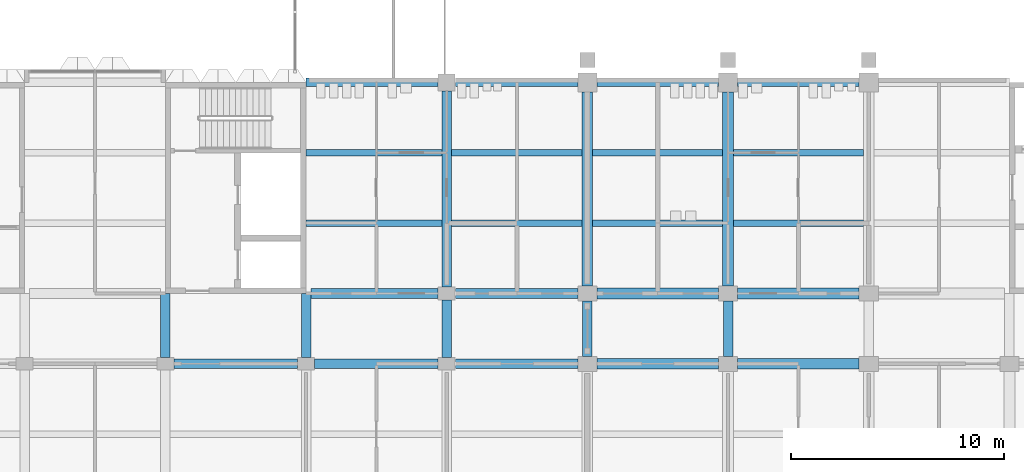
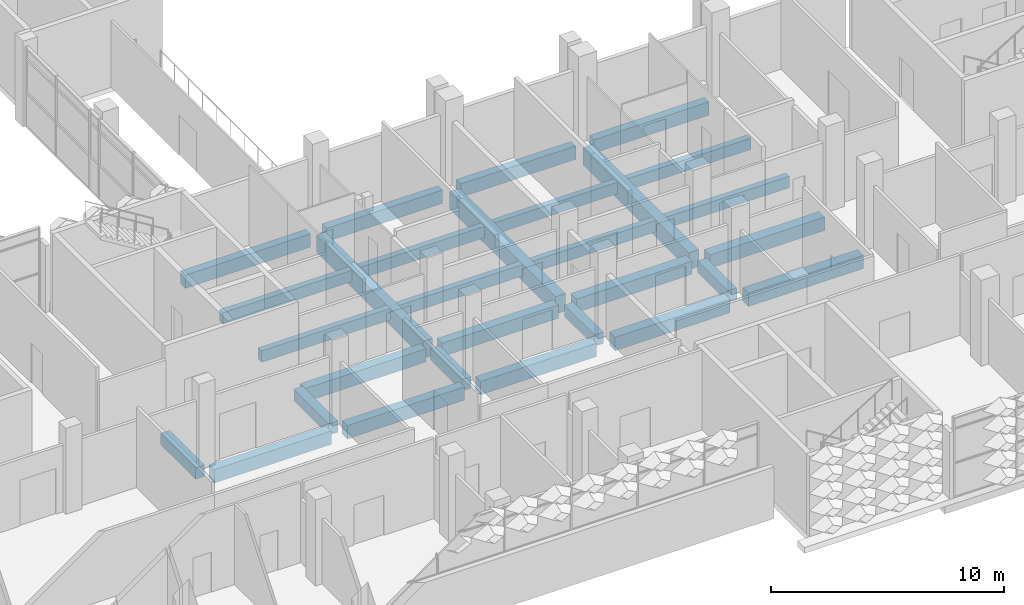
# One storey, part 8 of 102: 29 beams.
"""IFC4 building model written with IfcOpenShell, lengths in metres."""

from ifc_helpers import new_model, si_unit, direction, frame, origin, origin_2d, place, context, subcontext, project, spatial, rectangle, extrude, material, material_profile, profile_set, type_object, element, save


model = new_model("IFC4")

# Units and contexts
model_context = context("Model", 3, precision=1e-05, world=origin(), true_north=direction((0.0, 1.0)))
body_context = subcontext(model_context, "Body", "Model", "MODEL_VIEW")
ifc_project = project(units=[si_unit("LENGTHUNIT", "METRE"), si_unit("AREAUNIT", "SQUARE_METRE"), si_unit("VOLUMEUNIT", "CUBIC_METRE"), si_unit("PLANEANGLEUNIT", "RADIAN"), si_unit("MASSUNIT", "GRAM", prefix="KILO")], contexts=[model_context])

# Site, building, storey
site_placement = place(None, origin())
site = spatial("IfcSite", under=ifc_project, at=site_placement, CompositionType="ELEMENT")
building_placement = place(site_placement, origin())
building = spatial("IfcBuilding", under=site, at=building_placement, Name="Lantern Court Research Institute", CompositionType="ELEMENT")
storey_placement = place(building_placement, frame((0.0, 0.0, 9.89990234375)))
storey = spatial("IfcBuildingStorey", under=building, at=storey_placement, Name="L02", CompositionType="ELEMENT", Elevation=9.89990234375)

# Beams
ifc_material_1 = material(Name="Concrete C40/50", Category="concrete")
ifc_material_profile_1 = material_profile(ifc_material_1, rectangle(XDim=0.449951171875, YDim=0.699951171875, at=origin_2d()), Name="RC beam 450 x 700")
ifc_profile_set_1 = profile_set([ifc_material_profile_1], Name="Concrete C40/50")
beam_type_1 = type_object("IfcBeamType", Name="RC beam 450 x 700", PredefinedType="BEAM", material=ifc_profile_set_1)
for number, where, z_axis, x_axis, name in (
    (1, (33.39990234375, 9.89990234375, -0.64990234375), (1.0, 0.0, 0.0), (0.0, 1.0, 0.0), "Beam L02 grid B/6-7"),
    (2, (40.0, 9.89990234375, -0.64990234375), (1.0, 0.0, 0.0), (0.0, 1.0, 0.0), "Beam L02 grid B/7-8"),
):
    element("IfcBeam", number, at=place(storey_placement, frame(where, z_axis=z_axis, x_axis=x_axis)), inside=storey, type_object=beam_type_1, Name=name, PredefinedType="BEAM", context=body_context, shape_type="SweptSolid", body=[
        extrude(rectangle(XDim=0.449951171875, YDim=0.699951171875, at=origin_2d()), origin(), (0.0, 0.0, 1.0), 5.800048828125),
    ])
beam_1_placement = place(storey_placement, frame((46.60009765625, 9.89990234375, -0.64990234375), z_axis=(1.0, 0.0, 0.0), x_axis=(0.0, 1.0, 0.0)))
element("IfcBeam", 3, at=beam_1_placement, inside=storey, type_object=beam_type_1, Name="Beam L02 grid B/8-9", PredefinedType="BEAM", context=body_context, shape_type="SweptSolid", body=[
    extrude(rectangle(XDim=0.449951171875, YDim=0.699951171875, at=origin_2d()), origin(), (0.0, 0.0, 1.0), 5.75),
])
beam_2_placement = place(storey_placement, frame((39.824951171875, 13.199951171875, -0.64990234375), z_axis=(1.0, 0.0, 0.0), x_axis=(0.0, 1.0, 0.0)))
element("IfcBeam", 4, at=beam_2_placement, inside=storey, type_object=beam_type_1, Name="Beam L02 grid C/7-8", PredefinedType="BEAM", context=body_context, shape_type="SweptSolid", body=[
    extrude(rectangle(XDim=0.449951171875, YDim=0.699951171875, at=origin_2d()), origin(), (0.0, 0.0, 1.0), 5.97509765625),
])
beam_3_placement = place(storey_placement, frame((46.60009765625, 13.199951171875, -0.64990234375), z_axis=(1.0, 0.0, 0.0), x_axis=(0.0, 1.0, 0.0)))
element("IfcBeam", 5, at=beam_3_placement, inside=storey, type_object=beam_type_1, Name="Beam L02 grid C/8-9", PredefinedType="BEAM", context=body_context, shape_type="SweptSolid", body=[
    extrude(rectangle(XDim=0.449951171875, YDim=0.699951171875, at=origin_2d()), origin(), (0.0, 0.0, 1.0), 5.75),
])
ifc_material_2 = material(Name="Concrete C40/50", Category="concrete")
ifc_material_profile_2 = material_profile(ifc_material_2, rectangle(XDim=0.5, YDim=0.699951171875, at=origin_2d()), Name="RC beam 500 x 700")
ifc_profile_set_2 = profile_set([ifc_material_profile_2], Name="Concrete C40/50")
beam_type_2 = type_object("IfcBeamType", Name="RC beam 500 x 700", PredefinedType="BEAM", material=ifc_profile_set_2)
for number, where, z_axis, x_axis, name in (
    (6, (53.25, 9.89990234375, -0.64990234375), (1.0, 0.0, 0.0), (0.0, 1.0, 0.0), "Beam L02 grid B/9-10"),
    (7, (59.85009765625, 9.89990234375, -0.64990234375), (1.0, 0.0, 0.0), (0.0, 1.0, 0.0), "Beam L02 grid B/10-11"),
    (8, (53.25, 13.199951171875, -0.64990234375), (1.0, 0.0, 0.0), (0.0, 1.0, 0.0), "Beam L02 grid C/9-10"),
    (9, (59.85009765625, 13.199951171875, -0.64990234375), (1.0, 0.0, 0.0), (0.0, 1.0, 0.0), "Beam L02 grid C/10-11"),
):
    element("IfcBeam", number, at=place(storey_placement, frame(where, z_axis=z_axis, x_axis=x_axis)), inside=storey, type_object=beam_type_2, Name=name, PredefinedType="BEAM", context=body_context, shape_type="SweptSolid", body=[
        extrude(rectangle(XDim=0.5, YDim=0.699951171875, at=origin_2d()), origin(), (0.0, 0.0, 1.0), 5.699951171875),
    ])
ifc_material_3 = material(Name="Concrete C40/50", Category="concrete")
ifc_material_profile_3 = material_profile(ifc_material_3, rectangle(XDim=0.39990234375, YDim=0.699951171875, at=origin_2d()), Name="RC beam 400 x 700")
ifc_profile_set_3 = profile_set([ifc_material_profile_3], Name="Concrete C40/50")
beam_type_3 = type_object("IfcBeamType", Name="RC edge beam 400 x 700", PredefinedType="BEAM", material=ifc_profile_set_3)
beam_4_placement = place(storey_placement, frame((39.60009765625, 23.10009765625, -0.64990234375), z_axis=(1.0, 0.0, 0.0), x_axis=(0.0, 1.0, 0.0)))
element("IfcBeam", 10, at=beam_4_placement, inside=storey, type_object=beam_type_3, Name="Edge beam L02 grid D/7-8", PredefinedType="BEAM", context=body_context, shape_type="SweptSolid", body=[
    extrude(rectangle(XDim=0.39990234375, YDim=0.699951171875, at=origin_2d()), origin(), (0.0, 0.0, 1.0), 6.199951171875),
])
beam_5_placement = place(storey_placement, frame((46.60009765625, 23.10009765625, -0.64990234375), z_axis=(1.0, 0.0, 0.0), x_axis=(0.0, 1.0, 0.0)))
element("IfcBeam", 11, at=beam_5_placement, inside=storey, type_object=beam_type_3, Name="Edge beam L02 grid D/8-9", PredefinedType="BEAM", context=body_context, shape_type="SweptSolid", body=[
    extrude(rectangle(XDim=0.39990234375, YDim=0.699951171875, at=origin_2d()), origin(), (0.0, 0.0, 1.0), 5.75),
])
for number, where, z_axis, x_axis, name in (
    (12, (53.25, 23.10009765625, -0.64990234375), (1.0, 0.0, 0.0), (0.0, 1.0, 0.0), "Edge beam L02 grid D/9-10"),
    (13, (59.85009765625, 23.10009765625, -0.64990234375), (1.0, 0.0, 0.0), (0.0, 1.0, 0.0), "Edge beam L02 grid D/10-11"),
):
    element("IfcBeam", number, at=place(storey_placement, frame(where, z_axis=z_axis, x_axis=x_axis)), inside=storey, type_object=beam_type_3, Name=name, PredefinedType="BEAM", context=body_context, shape_type="SweptSolid", body=[
        extrude(rectangle(XDim=0.39990234375, YDim=0.699951171875, at=origin_2d()), origin(), (0.0, 0.0, 1.0), 5.699951171875),
    ])
ifc_material_4 = material(Name="Concrete C40/50", Category="concrete")
ifc_material_profile_4 = material_profile(ifc_material_4, rectangle(XDim=0.449951171875, YDim=0.89990234375, at=origin_2d()), Name="RC beam 450 x 900")
ifc_profile_set_4 = profile_set([ifc_material_profile_4], Name="Concrete C40/50")
beam_type_4 = type_object("IfcBeamType", Name="RC girder 450 x 900", PredefinedType="BEAM", material=ifc_profile_set_4)
beam_6_placement = place(storey_placement, frame((46.199951171875, 13.5, -0.75), z_axis=(0.0, 1.0, 0.0), x_axis=(-1.0, 0.0, 0.0)))
element("IfcBeam", 14, at=beam_6_placement, inside=storey, type_object=beam_type_4, Name="Girder L02 grid 8/C-D", PredefinedType="BEAM", context=body_context, shape_type="SweptSolid", body=[
    extrude(rectangle(XDim=0.449951171875, YDim=0.89990234375, at=origin_2d()), origin(), (0.0, 0.0, 1.0), 9.199951171875),
])
ifc_material_5 = material(Name="Concrete C40/50", Category="concrete")
ifc_material_profile_5 = material_profile(ifc_material_5, rectangle(XDim=0.5, YDim=0.89990234375, at=origin_2d()), Name="RC beam 500 x 900")
ifc_profile_set_5 = profile_set([ifc_material_profile_5], Name="Concrete C40/50")
beam_type_5 = type_object("IfcBeamType", Name="RC girder 500 x 900", PredefinedType="BEAM", material=ifc_profile_set_5)
for number, where, z_axis, x_axis, name in (
    (15, (52.800048828125, 13.550048828125, -0.75), (0.0, 1.0, 0.0), (-1.0, 0.0, 0.0), "Girder L02 grid 9/C-D"),
    (16, (59.39990234375, 13.550048828125, -0.75), (0.0, 1.0, 0.0), (-1.0, 0.0, 0.0), "Girder L02 grid 10/C-D"),
):
    element("IfcBeam", number, at=place(storey_placement, frame(where, z_axis=z_axis, x_axis=x_axis)), inside=storey, type_object=beam_type_5, Name=name, PredefinedType="BEAM", context=body_context, shape_type="SweptSolid", body=[
        extrude(rectangle(XDim=0.5, YDim=0.89990234375, at=origin_2d()), origin(), (0.0, 0.0, 1.0), 9.099853515625),
    ])
ifc_material_6 = material(Name="Concrete C40/50", Category="concrete")
ifc_material_profile_6 = material_profile(ifc_material_6, rectangle(XDim=0.300048828125, YDim=0.60009765625, at=origin_2d()), Name="RC beam 300 x 600")
ifc_profile_set_6 = profile_set([ifc_material_profile_6], Name="Concrete C40/50")
beam_type_6 = type_object("IfcBeamType", Name="RC secondary beam 300 x 600", PredefinedType="BEAM", material=ifc_profile_set_6)
beam_7_placement = place(storey_placement, frame((39.60009765625, 16.5, -0.599853515625), z_axis=(1.0, 0.0, 0.0), x_axis=(0.0, 1.0, 0.0)))
element("IfcBeam", 17, at=beam_7_placement, inside=storey, type_object=beam_type_6, Name="Secondary beam L02 grids 7-8 / C-D, line 1", PredefinedType="BEAM", context=body_context, shape_type="SweptSolid", body=[
    extrude(rectangle(XDim=0.300048828125, YDim=0.60009765625, at=origin_2d()), origin(), (0.0, 0.0, 1.0), 6.375),
])
beam_8_placement = place(storey_placement, frame((46.425048828125, 16.5, -0.599853515625), z_axis=(1.0, 0.0, 0.0), x_axis=(0.0, 1.0, 0.0)))
element("IfcBeam", 18, at=beam_8_placement, inside=storey, type_object=beam_type_6, Name="Secondary beam L02 grids 8-9 / C-D, line 1", PredefinedType="BEAM", context=body_context, shape_type="SweptSolid", body=[
    extrude(rectangle(XDim=0.300048828125, YDim=0.60009765625, at=origin_2d()), origin(), (0.0, 0.0, 1.0), 6.125),
])
beam_9_placement = place(storey_placement, frame((39.60009765625, 19.800048828125, -0.599853515625), z_axis=(1.0, 0.0, 0.0), x_axis=(0.0, 1.0, 0.0)))
element("IfcBeam", 19, at=beam_9_placement, inside=storey, type_object=beam_type_6, Name="Secondary beam L02 grids 7-8 / C-D, line 2", PredefinedType="BEAM", context=body_context, shape_type="SweptSolid", body=[
    extrude(rectangle(XDim=0.300048828125, YDim=0.60009765625, at=origin_2d()), origin(), (0.0, 0.0, 1.0), 6.375),
])
beam_10_placement = place(storey_placement, frame((46.425048828125, 19.800048828125, -0.599853515625), z_axis=(1.0, 0.0, 0.0), x_axis=(0.0, 1.0, 0.0)))
element("IfcBeam", 20, at=beam_10_placement, inside=storey, type_object=beam_type_6, Name="Secondary beam L02 grids 8-9 / C-D, line 2", PredefinedType="BEAM", context=body_context, shape_type="SweptSolid", body=[
    extrude(rectangle(XDim=0.300048828125, YDim=0.60009765625, at=origin_2d()), origin(), (0.0, 0.0, 1.0), 6.125),
])
beam_11_placement = place(storey_placement, frame((53.050048828125, 16.5, -0.599853515625), z_axis=(1.0, 0.0, 0.0), x_axis=(0.0, 1.0, 0.0)))
element("IfcBeam", 21, at=beam_11_placement, inside=storey, type_object=beam_type_6, Name="Secondary beam L02 grids 9-10 / C-D, line 1", PredefinedType="BEAM", context=body_context, shape_type="SweptSolid", body=[
    extrude(rectangle(XDim=0.300048828125, YDim=0.60009765625, at=origin_2d()), origin(), (0.0, 0.0, 1.0), 6.099853515625),
])
beam_12_placement = place(storey_placement, frame((59.64990234375, 16.5, -0.599853515625), z_axis=(1.0, 0.0, 0.0), x_axis=(0.0, 1.0, 0.0)))
element("IfcBeam", 22, at=beam_12_placement, inside=storey, type_object=beam_type_6, Name="Secondary beam L02 grids 10-11 / C-D, line 1", PredefinedType="BEAM", context=body_context, shape_type="SweptSolid", body=[
    extrude(rectangle(XDim=0.300048828125, YDim=0.60009765625, at=origin_2d()), origin(), (0.0, 0.0, 1.0), 6.10009765625),
])
beam_13_placement = place(storey_placement, frame((53.050048828125, 19.800048828125, -0.599853515625), z_axis=(1.0, 0.0, 0.0), x_axis=(0.0, 1.0, 0.0)))
element("IfcBeam", 23, at=beam_13_placement, inside=storey, type_object=beam_type_6, Name="Secondary beam L02 grids 9-10 / C-D, line 2", PredefinedType="BEAM", context=body_context, shape_type="SweptSolid", body=[
    extrude(rectangle(XDim=0.300048828125, YDim=0.60009765625, at=origin_2d()), origin(), (0.0, 0.0, 1.0), 6.099853515625),
])
beam_14_placement = place(storey_placement, frame((59.64990234375, 19.800048828125, -0.599853515625), z_axis=(1.0, 0.0, 0.0), x_axis=(0.0, 1.0, 0.0)))
element("IfcBeam", 24, at=beam_14_placement, inside=storey, type_object=beam_type_6, Name="Secondary beam L02 grids 10-11 / C-D, line 2", PredefinedType="BEAM", context=body_context, shape_type="SweptSolid", body=[
    extrude(rectangle(XDim=0.300048828125, YDim=0.60009765625, at=origin_2d()), origin(), (0.0, 0.0, 1.0), 6.10009765625),
])
ifc_material_7 = material(Name="Concrete C40/50", Category="concrete")
ifc_material_profile_7 = material_profile(ifc_material_7, rectangle(XDim=0.449951171875, YDim=0.60009765625, at=origin_2d()), Name="RC beam 450 x 600")
ifc_profile_set_7 = profile_set([ifc_material_profile_7], Name="Concrete C40/50")
beam_type_7 = type_object("IfcBeamType", Name="RC spine beam 450 x 600", PredefinedType="BEAM", material=ifc_profile_set_7)
for number, where, z_axis, x_axis, name in (
    (25, (33.0, 10.199951171875, -0.599853515625), (0.0, 1.0, 0.0), (-1.0, 0.0, 0.0), "Beam L02 grid 6/B-C"),
    (26, (39.60009765625, 10.199951171875, -0.599853515625), (0.0, 1.0, 0.0), (-1.0, 0.0, 0.0), "Beam L02 grid 7/B-C"),
):
    element("IfcBeam", number, at=place(storey_placement, frame(where, z_axis=z_axis, x_axis=x_axis)), inside=storey, type_object=beam_type_7, Name=name, PredefinedType="BEAM", context=body_context, shape_type="SweptSolid", body=[
        extrude(rectangle(XDim=0.449951171875, YDim=0.60009765625, at=origin_2d()), origin(), (0.0, 0.0, 1.0), 3.0),
    ])
beam_15_placement = place(storey_placement, frame((46.199951171875, 10.199951171875, -0.599853515625), z_axis=(0.0, 1.0, 0.0), x_axis=(-1.0, 0.0, 0.0)))
element("IfcBeam", 27, at=beam_15_placement, inside=storey, type_object=beam_type_7, Name="Beam L02 grid 8/B-C", PredefinedType="BEAM", context=body_context, shape_type="SweptSolid", body=[
    extrude(rectangle(XDim=0.449951171875, YDim=0.60009765625, at=origin_2d()), origin(), (0.0, 0.0, 1.0), 2.699951171875),
])
for number, where, z_axis, x_axis, name in (
    (28, (52.800048828125, 10.25, -0.599853515625), (0.0, 1.0, 0.0), (-1.0, 0.0, 0.0), "Beam L02 grid 9/B-C"),
    (29, (59.39990234375, 10.25, -0.599853515625), (0.0, 1.0, 0.0), (-1.0, 0.0, 0.0), "Beam L02 grid 10/B-C"),
):
    element("IfcBeam", number, at=place(storey_placement, frame(where, z_axis=z_axis, x_axis=x_axis)), inside=storey, type_object=beam_type_7, Name=name, PredefinedType="BEAM", context=body_context, shape_type="SweptSolid", body=[
        extrude(rectangle(XDim=0.449951171875, YDim=0.60009765625, at=origin_2d()), origin(), (0.0, 0.0, 1.0), 2.60009765625),
    ])

save(model, "model.ifc")
